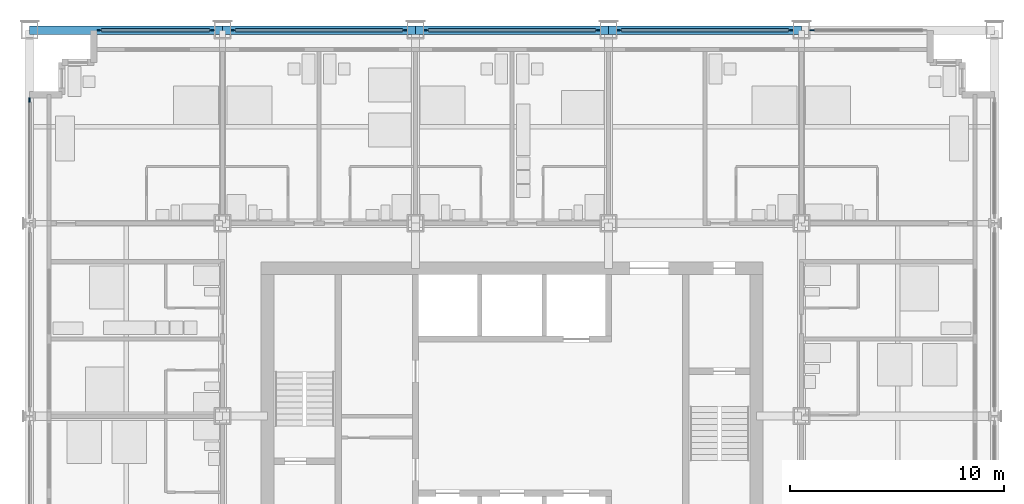
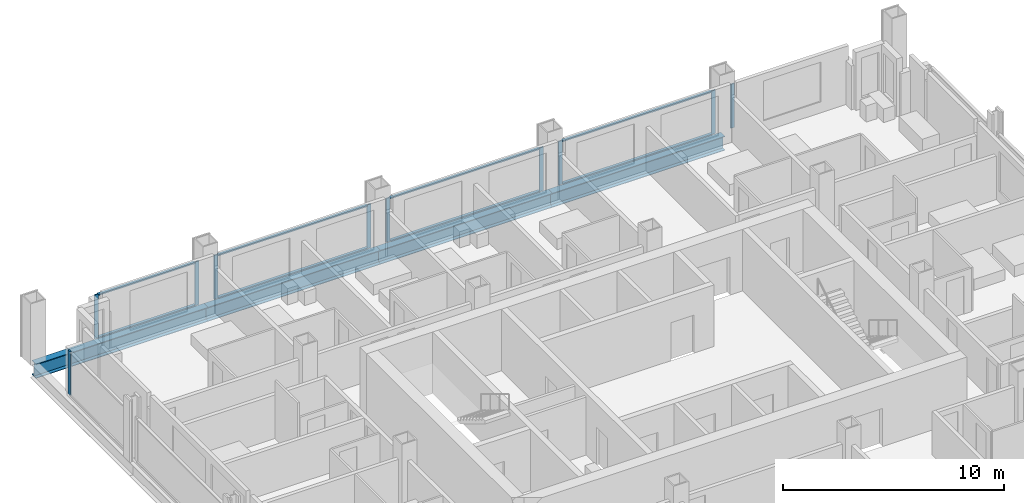
# One storey, part 6 of 17: 18 members, 4 beams, 6 elements without a shape of their own.
"""IFC4 building model written with IfcOpenShell, lengths in metres."""

from ifc_helpers import new_model, si_unit, direction, frame, origin, origin_2d, place, context, subcontext, project, spatial, rectangle, i_section, extrude, material, material_profile, profile_set, type_object, element, aggregate, save


model = new_model("IFC4")

# Units and contexts
model_context = context("Model", 3, precision=1e-05, world=origin(), true_north=direction((0.0, 1.0)))
body_context = subcontext(model_context, "Body", "Model", "MODEL_VIEW")
ifc_project = project(units=[si_unit("LENGTHUNIT", "METRE"), si_unit("AREAUNIT", "SQUARE_METRE"), si_unit("VOLUMEUNIT", "CUBIC_METRE"), si_unit("PLANEANGLEUNIT", "RADIAN"), si_unit("MASSUNIT", "GRAM", prefix="KILO")], contexts=[model_context])

# Site, building, storey
site_placement = place(None, origin())
site = spatial("IfcSite", under=ifc_project, at=site_placement, CompositionType="ELEMENT")
building_placement = place(site_placement, origin())
building = spatial("IfcBuilding", under=site, at=building_placement, Name="Loomwork Tower", CompositionType="ELEMENT")
storey_placement = place(building_placement, frame((0.0, 0.0, 145.199951171875)))
storey = spatial("IfcBuildingStorey", under=building, at=storey_placement, Name="L39", CompositionType="ELEMENT", Elevation=145.199951171875)

# Curtain wall, members
ifc_material_1 = material(Name="Aluminium curtain wall frame", Category="aluminium")
curtain_wall_type = type_object("IfcCurtainWallType", Name="Outer skin glazing hotel", PredefinedType="NOTDEFINED", material=ifc_material_1)
curtain_wall_1_placement = place(storey_placement, origin())
curtain_wall_1 = element("IfcCurtainWall", 1, at=curtain_wall_1_placement, inside=storey, type_object=curtain_wall_type, Name="Outer skin glazing hotel cw/N-0", PredefinedType="NOTDEFINED")
ifc_material_2 = material(Name="Aluminium curtain wall frame", Category="aluminium")
ifc_material_profile_1 = material_profile(ifc_material_2, rectangle(XDim=0.06494140625, YDim=0.199951171875, at=origin_2d()), Name="AL 65x200")
ifc_profile_set_1 = profile_set([ifc_material_profile_1], Name="Aluminium curtain wall frame")
member_type_1 = type_object("IfcMemberType", Name="Outer skin glazing hotel mullion", PredefinedType="MULLION", material=ifc_profile_set_1)
member_1_placement = place(storey_placement, frame((8.5, 36.0, 0.0), z_axis=(0.0, 0.0, 1.0), x_axis=(0.0, -1.0, 0.0)))
member_1 = element("IfcMember", 2, at=member_1_placement, type_object=member_type_1, Name="CW1 mullion 1", PredefinedType="MULLION", context=body_context, shape_type="SweptSolid", body=[
    extrude(rectangle(XDim=0.06494140625, YDim=0.199951171875, at=origin_2d()), origin(), (0.0, 0.0, 1.0), 2.420166015625),
])
member_2_placement = place(storey_placement, frame((3.25, 36.0, 0.0), z_axis=(0.0, 0.0, 1.0), x_axis=(0.0, -1.0, 0.0)))
member_2 = element("IfcMember", 3, at=member_2_placement, type_object=member_type_1, Name="CW1 mullion 2", PredefinedType="MULLION", context=body_context, shape_type="SweptSolid", body=[
    extrude(rectangle(XDim=0.06494140625, YDim=0.199951171875, at=origin_2d()), origin(), (0.0, 0.0, 1.0), 2.420166015625),
])

curtain_wall_2_placement = place(storey_placement, origin())
curtain_wall_2 = element("IfcCurtainWall", 4, at=curtain_wall_2_placement, inside=storey, type_object=curtain_wall_type, Name="Outer skin glazing hotel cw/N-9", PredefinedType="NOTDEFINED")
member_3_placement = place(storey_placement, frame((17.5, 36.0, 0.0), z_axis=(0.0, 0.0, 1.0), x_axis=(0.0, -1.0, 0.0)))
member_3 = element("IfcMember", 5, at=member_3_placement, type_object=member_type_1, Name="CW1 mullion 1", PredefinedType="MULLION", context=body_context, shape_type="SweptSolid", body=[
    extrude(rectangle(XDim=0.06494140625, YDim=0.199951171875, at=origin_2d()), origin(), (0.0, 0.0, 1.0), 2.420166015625),
])
member_4_placement = place(storey_placement, frame((9.5, 36.0, 0.0), z_axis=(0.0, 0.0, 1.0), x_axis=(0.0, -1.0, 0.0)))
member_4 = element("IfcMember", 6, at=member_4_placement, type_object=member_type_1, Name="CW1 mullion 2", PredefinedType="MULLION", context=body_context, shape_type="SweptSolid", body=[
    extrude(rectangle(XDim=0.06494140625, YDim=0.199951171875, at=origin_2d()), origin(), (0.0, 0.0, 1.0), 2.420166015625),
])

curtain_wall_3_placement = place(storey_placement, origin())
curtain_wall_3 = element("IfcCurtainWall", 7, at=curtain_wall_3_placement, inside=storey, type_object=curtain_wall_type, Name="Outer skin glazing hotel cw/N-18", PredefinedType="NOTDEFINED")
member_5_placement = place(storey_placement, frame((26.5, 36.0, 0.0), z_axis=(0.0, 0.0, 1.0), x_axis=(0.0, -1.0, 0.0)))
member_5 = element("IfcMember", 8, at=member_5_placement, type_object=member_type_1, Name="CW1 mullion 1", PredefinedType="MULLION", context=body_context, shape_type="SweptSolid", body=[
    extrude(rectangle(XDim=0.06494140625, YDim=0.199951171875, at=origin_2d()), origin(), (0.0, 0.0, 1.0), 2.420166015625),
])
member_6_placement = place(storey_placement, frame((18.5, 36.0, 0.0), z_axis=(0.0, 0.0, 1.0), x_axis=(0.0, -1.0, 0.0)))
member_6 = element("IfcMember", 9, at=member_6_placement, type_object=member_type_1, Name="CW1 mullion 2", PredefinedType="MULLION", context=body_context, shape_type="SweptSolid", body=[
    extrude(rectangle(XDim=0.06494140625, YDim=0.199951171875, at=origin_2d()), origin(), (0.0, 0.0, 1.0), 2.420166015625),
])

curtain_wall_4_placement = place(storey_placement, origin())
curtain_wall_4 = element("IfcCurtainWall", 10, at=curtain_wall_4_placement, inside=storey, type_object=curtain_wall_type, Name="Outer skin glazing hotel cw/N-27", PredefinedType="NOTDEFINED")
member_7_placement = place(storey_placement, frame((35.5, 36.0, 0.0), z_axis=(0.0, 0.0, 1.0), x_axis=(0.0, -1.0, 0.0)))
member_7 = element("IfcMember", 11, at=member_7_placement, type_object=member_type_1, Name="CW1 mullion 1", PredefinedType="MULLION", context=body_context, shape_type="SweptSolid", body=[
    extrude(rectangle(XDim=0.06494140625, YDim=0.199951171875, at=origin_2d()), origin(), (0.0, 0.0, 1.0), 2.420166015625),
])
member_8_placement = place(storey_placement, frame((27.5, 36.0, 0.0), z_axis=(0.0, 0.0, 1.0), x_axis=(0.0, -1.0, 0.0)))
member_8 = element("IfcMember", 12, at=member_8_placement, type_object=member_type_1, Name="CW1 mullion 2", PredefinedType="MULLION", context=body_context, shape_type="SweptSolid", body=[
    extrude(rectangle(XDim=0.06494140625, YDim=0.199951171875, at=origin_2d()), origin(), (0.0, 0.0, 1.0), 2.420166015625),
])

# Curtain wall, member
curtain_wall_5_placement = place(storey_placement, origin())
curtain_wall_5 = element("IfcCurtainWall", 13, at=curtain_wall_5_placement, inside=storey, type_object=curtain_wall_type, Name="Outer skin glazing hotel cw/N-36", PredefinedType="NOTDEFINED")
member_9_placement = place(storey_placement, frame((36.5, 36.0, 0.0), z_axis=(0.0, 0.0, 1.0), x_axis=(0.0, -1.0, 0.0)))
member_9 = element("IfcMember", 14, at=member_9_placement, type_object=member_type_1, Name="CW1 mullion 2", PredefinedType="MULLION", context=body_context, shape_type="SweptSolid", body=[
    extrude(rectangle(XDim=0.06494140625, YDim=0.199951171875, at=origin_2d()), origin(), (0.0, 0.0, 1.0), 2.420166015625),
])
aggregate(curtain_wall_5, [member_9])

curtain_wall_6_placement = place(storey_placement, origin())
curtain_wall_6 = element("IfcCurtainWall", 15, at=curtain_wall_6_placement, inside=storey, type_object=curtain_wall_type, Name="Outer skin glazing hotel cw/W-27", PredefinedType="NOTDEFINED")
member_10_placement = place(storey_placement, frame((0.0, 32.75, 0.0), z_axis=(0.0, 0.0, 1.0), x_axis=(1.0, 0.0, 0.0)))
member_10 = element("IfcMember", 16, at=member_10_placement, type_object=member_type_1, Name="CW1 mullion 1", PredefinedType="MULLION", context=body_context, shape_type="SweptSolid", body=[
    extrude(rectangle(XDim=0.06494140625, YDim=0.199951171875, at=origin_2d()), origin(), (0.0, 0.0, 1.0), 2.420166015625),
])
aggregate(curtain_wall_6, [member_10])

# Member
ifc_material_3 = material(Name="Aluminium curtain wall frame", Category="aluminium")
ifc_material_profile_2 = material_profile(ifc_material_3, rectangle(XDim=0.14990234375, YDim=0.06494140625, at=origin_2d()), Name="AL 65x150")
ifc_profile_set_2 = profile_set([ifc_material_profile_2], Name="Aluminium curtain wall frame")
member_type_2 = type_object("IfcMemberType", Name="Outer skin glazing hotel transom", PredefinedType="USERDEFINED", material=ifc_profile_set_2)
member_11_placement = place(storey_placement, frame((8.39990234375, 36.0, 0.032470703125), z_axis=(-1.0, 0.0, 0.0), x_axis=(0.0, -1.0, 0.0)))
member_11 = element("IfcMember", 17, at=member_11_placement, type_object=member_type_2, Name="CW1 transom 1.1", ObjectType="TRANSOM", PredefinedType="USERDEFINED", context=body_context, shape_type="SweptSolid", body=[
    extrude(rectangle(XDim=0.14990234375, YDim=0.06494140625, at=origin_2d()), origin(), (0.0, 0.0, 1.0), 5.0498046875),
])

member_12_placement = place(storey_placement, frame((8.39990234375, 36.0, 2.3876953125), z_axis=(-1.0, 0.0, 0.0), x_axis=(0.0, -1.0, 0.0)))
member_12 = element("IfcMember", 18, at=member_12_placement, type_object=member_type_2, Name="CW1 transom 1.2", ObjectType="TRANSOM", PredefinedType="USERDEFINED", context=body_context, shape_type="SweptSolid", body=[
    extrude(rectangle(XDim=0.14990234375, YDim=0.06494140625, at=origin_2d()), origin(), (0.0, 0.0, 1.0), 5.0498046875),
])

aggregate(curtain_wall_1, [member_1, member_2, member_11, member_12])

member_13_placement = place(storey_placement, frame((17.39990234375, 36.0, 0.032470703125), z_axis=(-1.0, 0.0, 0.0), x_axis=(0.0, -1.0, 0.0)))
member_13 = element("IfcMember", 19, at=member_13_placement, type_object=member_type_2, Name="CW1 transom 1.1", ObjectType="TRANSOM", PredefinedType="USERDEFINED", context=body_context, shape_type="SweptSolid", body=[
    extrude(rectangle(XDim=0.14990234375, YDim=0.06494140625, at=origin_2d()), origin(), (0.0, 0.0, 1.0), 7.7998046875),
])

member_14_placement = place(storey_placement, frame((17.39990234375, 36.0, 2.3876953125), z_axis=(-1.0, 0.0, 0.0), x_axis=(0.0, -1.0, 0.0)))
member_14 = element("IfcMember", 20, at=member_14_placement, type_object=member_type_2, Name="CW1 transom 1.2", ObjectType="TRANSOM", PredefinedType="USERDEFINED", context=body_context, shape_type="SweptSolid", body=[
    extrude(rectangle(XDim=0.14990234375, YDim=0.06494140625, at=origin_2d()), origin(), (0.0, 0.0, 1.0), 7.7998046875),
])

aggregate(curtain_wall_2, [member_3, member_4, member_13, member_14])

member_15_placement = place(storey_placement, frame((26.39990234375, 36.0, 0.032470703125), z_axis=(-1.0, 0.0, 0.0), x_axis=(0.0, -1.0, 0.0)))
member_15 = element("IfcMember", 21, at=member_15_placement, type_object=member_type_2, Name="CW1 transom 1.1", ObjectType="TRANSOM", PredefinedType="USERDEFINED", context=body_context, shape_type="SweptSolid", body=[
    extrude(rectangle(XDim=0.14990234375, YDim=0.06494140625, at=origin_2d()), origin(), (0.0, 0.0, 1.0), 7.7998046875),
])

member_16_placement = place(storey_placement, frame((26.39990234375, 36.0, 2.3876953125), z_axis=(-1.0, 0.0, 0.0), x_axis=(0.0, -1.0, 0.0)))
member_16 = element("IfcMember", 22, at=member_16_placement, type_object=member_type_2, Name="CW1 transom 1.2", ObjectType="TRANSOM", PredefinedType="USERDEFINED", context=body_context, shape_type="SweptSolid", body=[
    extrude(rectangle(XDim=0.14990234375, YDim=0.06494140625, at=origin_2d()), origin(), (0.0, 0.0, 1.0), 7.7998046875),
])

aggregate(curtain_wall_3, [member_5, member_6, member_15, member_16])

member_17_placement = place(storey_placement, frame((35.39990234375, 36.0, 0.032470703125), z_axis=(-1.0, 0.0, 0.0), x_axis=(0.0, -1.0, 0.0)))
member_17 = element("IfcMember", 23, at=member_17_placement, type_object=member_type_2, Name="CW1 transom 1.1", ObjectType="TRANSOM", PredefinedType="USERDEFINED", context=body_context, shape_type="SweptSolid", body=[
    extrude(rectangle(XDim=0.14990234375, YDim=0.06494140625, at=origin_2d()), origin(), (0.0, 0.0, 1.0), 7.7998046875),
])

member_18_placement = place(storey_placement, frame((35.39990234375, 36.0, 2.3876953125), z_axis=(-1.0, 0.0, 0.0), x_axis=(0.0, -1.0, 0.0)))
member_18 = element("IfcMember", 24, at=member_18_placement, type_object=member_type_2, Name="CW1 transom 1.2", ObjectType="TRANSOM", PredefinedType="USERDEFINED", context=body_context, shape_type="SweptSolid", body=[
    extrude(rectangle(XDim=0.14990234375, YDim=0.06494140625, at=origin_2d()), origin(), (0.0, 0.0, 1.0), 7.7998046875),
])

aggregate(curtain_wall_4, [member_7, member_8, member_17, member_18])

# Beams
ifc_material_4 = material(Name="Steel ASTM A992", Category="steel")
ifc_material_profile_3 = material_profile(ifc_material_4, i_section(OverallWidth=0.381103515625, OverallDepth=0.77978515625, WebThickness=0.01806640625, FlangeThickness=0.0302734375, at=origin_2d()), Name="W30x191")
ifc_profile_set_3 = profile_set([ifc_material_profile_3], Name="Steel ASTM A992")
beam_type = type_object("IfcBeamType", Name="SPANDREL GIRDER W30x191", PredefinedType="SPANDREL", material=ifc_profile_set_3)
for number, where, z_axis, x_axis, name in (
    (25, (0.0, 36.0, -0.58984375), (1.0, 0.0, 0.0), (0.0, 1.0, 0.0), "Spandrel Girder H/2-H/3 L39"),
    (26, (9.0, 36.0, -0.58984375), (1.0, 0.0, 0.0), (0.0, 1.0, 0.0), "Spandrel Girder H/3-H/4 L39"),
    (27, (18.0, 36.0, -0.58984375), (1.0, 0.0, 0.0), (0.0, 1.0, 0.0), "Spandrel Girder H/4-H/5 L39"),
    (28, (27.0, 36.0, -0.58984375), (1.0, 0.0, 0.0), (0.0, 1.0, 0.0), "Spandrel Girder H/5-H/6 L39"),
):
    element("IfcBeam", number, at=place(storey_placement, frame(where, z_axis=z_axis, x_axis=x_axis)), inside=storey, type_object=beam_type, Name=name, PredefinedType="SPANDREL", context=body_context, shape_type="SweptSolid", body=[
        extrude(i_section(OverallWidth=0.381103515625, OverallDepth=0.77978515625, WebThickness=0.01806640625, FlangeThickness=0.0302734375, at=origin_2d()), origin(), (0.0, 0.0, 1.0), 9.0),
    ])

save(model, "model.ifc")
